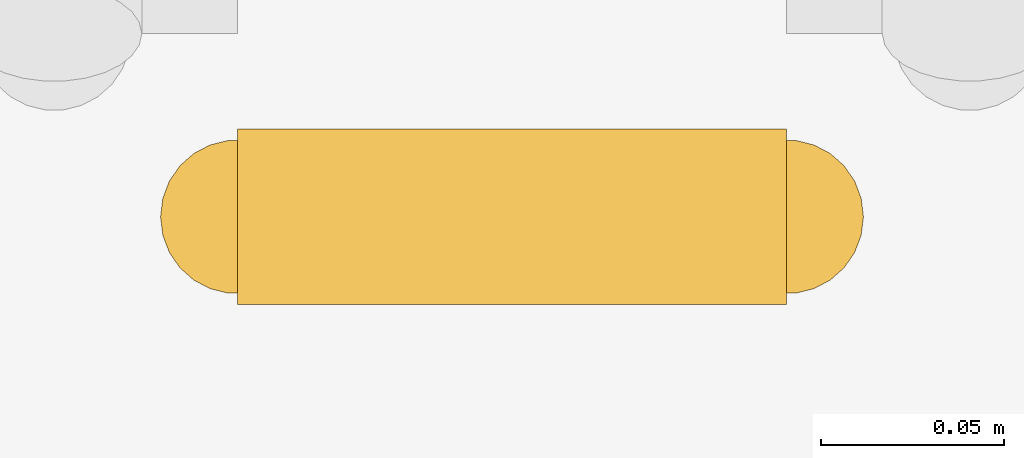
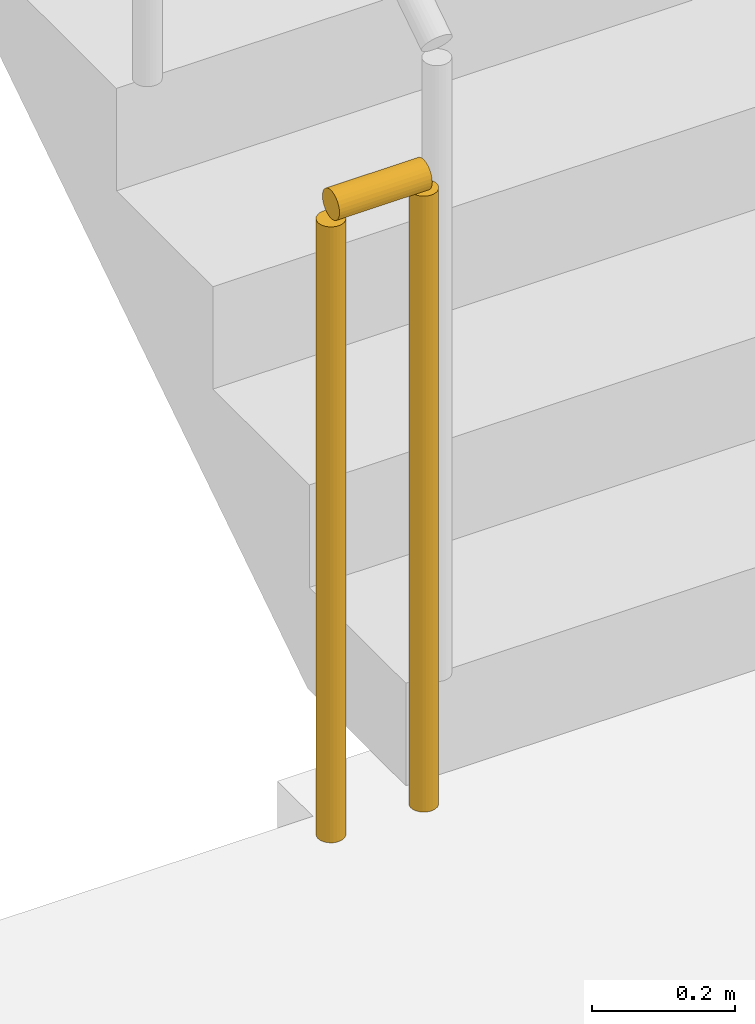
# One storey, part 17 of 20: 1 railing.
"""IFC4 building model written with IfcOpenShell, lengths in metres."""

from ifc_helpers import new_model, si_unit, direction, frame, origin, origin_2d, place, context, subcontext, project, spatial, circle, extrude, material, type_object, element, save


model = new_model("IFC4")

# Units and contexts
model_context = context("Model", 3, precision=1e-05, world=origin(), true_north=direction((0.0, 1.0)))
body_context = subcontext(model_context, "Body", "Model", "MODEL_VIEW")
ifc_project = project(units=[si_unit("LENGTHUNIT", "METRE"), si_unit("AREAUNIT", "SQUARE_METRE"), si_unit("VOLUMEUNIT", "CUBIC_METRE"), si_unit("PLANEANGLEUNIT", "RADIAN"), si_unit("MASSUNIT", "GRAM", prefix="KILO")], contexts=[model_context])

# Site, building, storey
site_placement = place(None, origin())
site = spatial("IfcSite", under=ifc_project, at=site_placement, CompositionType="ELEMENT")
building_placement = place(site_placement, origin())
building = spatial("IfcBuilding", under=site, at=building_placement, Name="Saffron Iwan Residences", CompositionType="ELEMENT")
storey_placement = place(building_placement, frame((0.0, 0.0, 150.0)))
storey = spatial("IfcBuildingStorey", under=building, at=storey_placement, Name="L39", CompositionType="ELEMENT", Elevation=150.0)

# Railing
ifc_material = material(Name="Steel S355", Category="steel")
railing_type = type_object("IfcRailingType", Name="Stair guard 1100", PredefinedType="GUARDRAIL", material=ifc_material)
railing_placement = place(storey_placement, frame((69.699951171875, 67.800048828125, 0.0)))
element("IfcRailing", 1, at=railing_placement, inside=storey, type_object=railing_type, Name="L39 ST-E stair guard 2", PredefinedType="GUARDRAIL", context=body_context, shape_type="SweptSolid", body=[
    extrude(circle(Radius=0.02392578125, at=origin_2d()), frame((0.0, 0.0, 1.076171875), z_axis=(-1.0, 0.0, 0.0), x_axis=(0.0, -1.0, 0.0)), (0.0, 0.0, 1.0), 0.14990234375),
    extrude(circle(Radius=0.02099609375, at=origin_2d()), origin(), (0.0, 0.0, 1.0), 1.052001953125),
    extrude(circle(Radius=0.02099609375, at=origin_2d()), frame((-0.14990234375, 0.0, 0.0)), (0.0, 0.0, 1.0), 1.052001953125),
])

save(model, "model.ifc")
